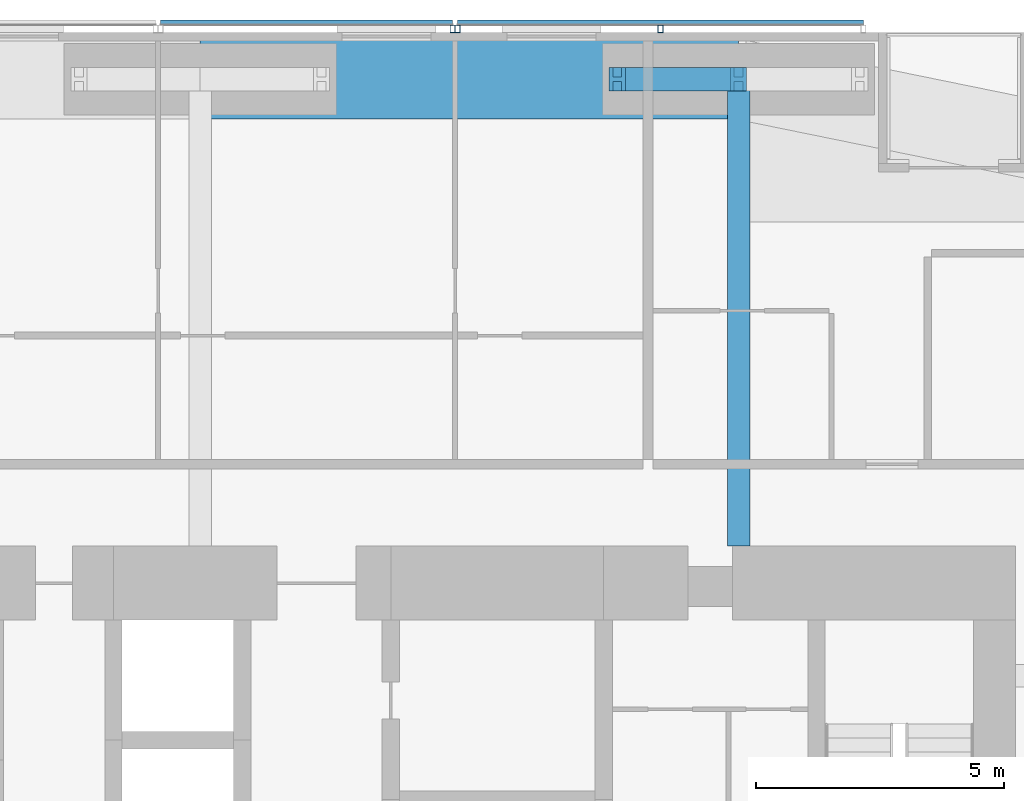
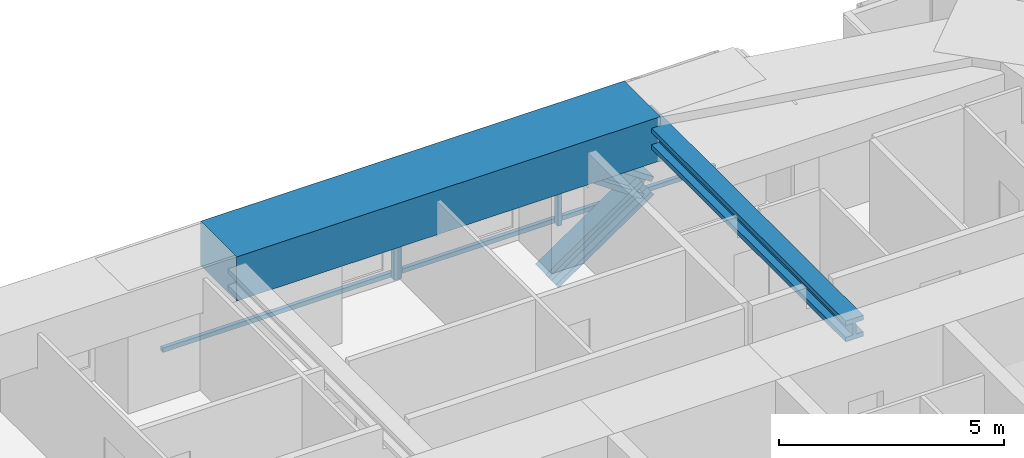
# One storey, part 13 of 23: 7 members, 2 beams, 2 elements without a shape of their own.
"""IFC4 building model written with IfcOpenShell, lengths in metres."""

from ifc_helpers import new_model, si_unit, direction, frame, origin, origin_2d, place, context, subcontext, project, spatial, rectangle, hollow_rectangle, i_section, extrude, material, material_profile, profile_set, type_object, element, aggregate, save


model = new_model("IFC4")

# Units and contexts
model_context = context("Model", 3, precision=1e-05, world=origin(), true_north=direction((0.0, 1.0)))
body_context = subcontext(model_context, "Body", "Model", "MODEL_VIEW")
ifc_project = project(units=[si_unit("LENGTHUNIT", "METRE"), si_unit("AREAUNIT", "SQUARE_METRE"), si_unit("VOLUMEUNIT", "CUBIC_METRE"), si_unit("PLANEANGLEUNIT", "RADIAN"), si_unit("MASSUNIT", "GRAM", prefix="KILO")], contexts=[model_context])

# Site, building, storey
site_placement = place(None, origin())
site = spatial("IfcSite", under=ifc_project, at=site_placement, CompositionType="ELEMENT")
building_placement = place(site_placement, origin())
building = spatial("IfcBuilding", under=site, at=building_placement, Name="Jalousie Tower", CompositionType="ELEMENT")
storey_placement = place(building_placement, frame((0.0, 0.0, 118.25)))
storey = spatial("IfcBuildingStorey", under=building, at=storey_placement, Name="L32", CompositionType="ELEMENT", Elevation=118.25)

# Beam
ifc_material_1 = material(Name="Steel ASTM A992 Grade 50", Category="steel")
ifc_material_profile_1 = material_profile(ifc_material_1, i_section(OverallWidth=0.45458984375, OverallDepth=0.569091796875, WebThickness=0.077880859375, FlangeThickness=0.124755859375, at=origin_2d()), Name="W14X730")
ifc_profile_set_1 = profile_set([ifc_material_profile_1], Name="Steel ASTM A992 Grade 50")
beam_type_1 = type_object("IfcBeamType", Name="LEAN COLLECTOR W14X730", PredefinedType="BEAM", material=ifc_profile_set_1)
beam_1_placement = place(storey_placement, frame((38.625, 37.050048828125, 2.825439453125), z_axis=(0.0, -1.0, 0.0), x_axis=(1.0, 0.0, 0.0)))
element("IfcBeam", 1, at=beam_1_placement, inside=storey, type_object=beam_type_1, Name="Lean collector under L33", PredefinedType="BEAM", context=body_context, shape_type="SweptSolid", body=[
    extrude(i_section(OverallWidth=0.45458984375, OverallDepth=0.569091796875, WebThickness=0.077880859375, FlangeThickness=0.124755859375, at=origin_2d()), origin(), (0.0, 0.0, 1.0), 9.425048828125),
])

# Members
ifc_material_2 = material(Name="Steel ASTM A992 Grade 50", Category="steel")
ifc_material_profile_2 = material_profile(ifc_material_2, i_section(OverallWidth=0.472412109375, OverallDepth=0.5791015625, WebThickness=0.094970703125, FlangeThickness=0.1298828125, at=origin_2d()), Name="W14X808")
ifc_profile_set_2 = profile_set([ifc_material_profile_2], Name="Steel ASTM A992 Grade 50")
member_type_1 = type_object("IfcMemberType", Name="PERIMETER BRACE W14X808", PredefinedType="BRACE", material=ifc_profile_set_2)
for number, where, z_axis, x_axis, name in (
    (2, (36.175048828125, 37.050048828125, -0.60009765625), (0.825500916831, 0.0, 0.564400776321), (0.0, 1.0, 0.0), "Perimeter brace 09 L32 part 1"),
    (3, (38.625, 37.050048828125, 1.074951171875), (-0.825500916831, 0.0, 0.564400776321), (0.0, -1.0, 0.0), "Perimeter brace 09 L32 part 4"),
):
    element("IfcMember", number, at=place(storey_placement, frame(where, z_axis=z_axis, x_axis=x_axis)), inside=storey, type_object=member_type_1, Name=name, PredefinedType="BRACE", context=body_context, shape_type="SweptSolid", body=[
        extrude(i_section(OverallWidth=0.472412109375, OverallDepth=0.5791015625, WebThickness=0.094970703125, FlangeThickness=0.1298828125, at=origin_2d()), origin(), (0.0, 0.0, 1.0), 2.9677734375),
    ])

# Beam
ifc_material_3 = material(Name="Concrete f'c 40 MPa", Category="concrete")
ifc_material_profile_3 = material_profile(ifc_material_3, rectangle(XDim=1.60009765625, YDim=1.199951171875, at=origin_2d()), Name="RC 1600x1200")
ifc_profile_set_3 = profile_set([ifc_material_profile_3], Name="Concrete f'c 40 MPa")
beam_type_2 = type_object("IfcBeamType", Name="RC BEAM 1600x1200", PredefinedType="BEAM", material=ifc_profile_set_3)
beam_2_placement = place(storey_placement, frame((38.625, 37.050048828125, 2.75), z_axis=(-1.0, 0.0, 0.0), x_axis=(0.0, -1.0, 0.0)))
element("IfcBeam", 4, at=beam_2_placement, inside=storey, type_object=beam_type_2, Name="Edge band beam 09-10 under L33", PredefinedType="BEAM", context=body_context, shape_type="SweptSolid", body=[
    extrude(rectangle(XDim=1.60009765625, YDim=1.199951171875, at=origin_2d()), origin(), (0.0, 0.0, 1.0), 10.875),
])

# Curtain wall, members
ifc_material_4 = material(Name="Perforated aluminium sheet", Category="aluminium")
curtain_wall_type = type_object("IfcCurtainWallType", Name="SOLAR SCREEN SS-1", PredefinedType="USERDEFINED", material=ifc_material_4)
curtain_wall_1_placement = place(storey_placement, origin())
curtain_wall_1 = element("IfcCurtainWall", 5, at=curtain_wall_1_placement, inside=storey, type_object=curtain_wall_type, Name="Solar screen L32", ObjectType="SOLAR SCREEN SS-1", PredefinedType="USERDEFINED")
ifc_material_5 = material(Name="Steel ASTM A500 Grade C", Category="steel")
ifc_material_profile_4 = material_profile(ifc_material_5, hollow_rectangle(XDim=0.1015625, YDim=0.15234375, WallThickness=0.00634765625, at=origin_2d()), Name="HSS6X4X1/4")
ifc_profile_set_4 = profile_set([ifc_material_profile_4], Name="Steel ASTM A500 Grade C")
member_type_2 = type_object("IfcMemberType", Name="SOLAR SCREEN SS-1 MULLION", PredefinedType="MULLION", material=ifc_profile_set_4)
member_1_placement = place(storey_placement, frame((37.04931640625, 38.0712890625, -0.1201171875), z_axis=(0.0, 0.0, 1.0), x_axis=(-1.0, 0.0, 0.0)))
member_1 = element("IfcMember", 6, at=member_1_placement, type_object=member_type_2, Name="SS1 post 2", PredefinedType="MULLION", context=body_context, shape_type="SweptSolid", body=[
    extrude(hollow_rectangle(XDim=0.1015625, YDim=0.15234375, WallThickness=0.00634765625, at=origin_2d()), origin(), (0.0, 0.0, 1.0), 3.230224609375),
])
member_2_placement = place(storey_placement, frame((32.949951171875, 38.0712890625, -0.1201171875), z_axis=(0.0, 0.0, 1.0), x_axis=(-1.0, 0.0, 0.0)))
member_2 = element("IfcMember", 7, at=member_2_placement, type_object=member_type_2, Name="SS1 post 3", PredefinedType="MULLION", context=body_context, shape_type="SweptSolid", body=[
    extrude(hollow_rectangle(XDim=0.1015625, YDim=0.15234375, WallThickness=0.00634765625, at=origin_2d()), origin(), (0.0, 0.0, 1.0), 3.230224609375),
])

# Curtain wall, member
curtain_wall_2_placement = place(storey_placement, origin())
curtain_wall_2 = element("IfcCurtainWall", 8, at=curtain_wall_2_placement, inside=storey, type_object=curtain_wall_type, Name="Solar screen L32", ObjectType="SOLAR SCREEN SS-1", PredefinedType="USERDEFINED")
member_3_placement = place(storey_placement, frame((32.85009765625, 38.0712890625, -0.1201171875), z_axis=(0.0, 0.0, 1.0), x_axis=(-1.0, 0.0, 0.0)))
member_3 = element("IfcMember", 9, at=member_3_placement, type_object=member_type_2, Name="SS1 post 1", PredefinedType="MULLION", context=body_context, shape_type="SweptSolid", body=[
    extrude(hollow_rectangle(XDim=0.1015625, YDim=0.15234375, WallThickness=0.00634765625, at=origin_2d()), origin(), (0.0, 0.0, 1.0), 3.230224609375),
])

# Member
ifc_material_6 = material(Name="Extruded aluminium screen rail", Category="aluminium")
ifc_material_profile_5 = material_profile(ifc_material_6, rectangle(XDim=0.1015625, YDim=0.1201171875, at=origin_2d()), Name="RAIL 102x120")
ifc_profile_set_5 = profile_set([ifc_material_profile_5], Name="Extruded aluminium screen rail")
member_type_3 = type_object("IfcMemberType", Name="SOLAR SCREEN SS-1 TRANSOM", PredefinedType="USERDEFINED", material=ifc_profile_set_5)
member_4_placement = place(storey_placement, frame((41.148681640625, 38.1982421875, -0.06005859375), z_axis=(-1.0, 0.0, 0.0), x_axis=(0.0, -1.0, 0.0)))
member_4 = element("IfcMember", 10, at=member_4_placement, type_object=member_type_3, Name="SS1 rail", ObjectType="TRANSOM", PredefinedType="USERDEFINED", context=body_context, shape_type="SweptSolid", body=[
    extrude(rectangle(XDim=0.1015625, YDim=0.1201171875, at=origin_2d()), origin(), (0.0, 0.0, 1.0), 8.19873046875),
])

aggregate(curtain_wall_1, [member_1, member_2, member_4])

member_5_placement = place(storey_placement, frame((32.85009765625, 38.1982421875, -0.06005859375), z_axis=(-1.0, 0.0, 0.0), x_axis=(0.0, -1.0, 0.0)))
member_5 = element("IfcMember", 11, at=member_5_placement, type_object=member_type_3, Name="SS1 rail", ObjectType="TRANSOM", PredefinedType="USERDEFINED", context=body_context, shape_type="SweptSolid", body=[
    extrude(rectangle(XDim=0.1015625, YDim=0.1201171875, at=origin_2d()), origin(), (0.0, 0.0, 1.0), 5.900146484375),
])

aggregate(curtain_wall_2, [member_3, member_5])

save(model, "model.ifc")
